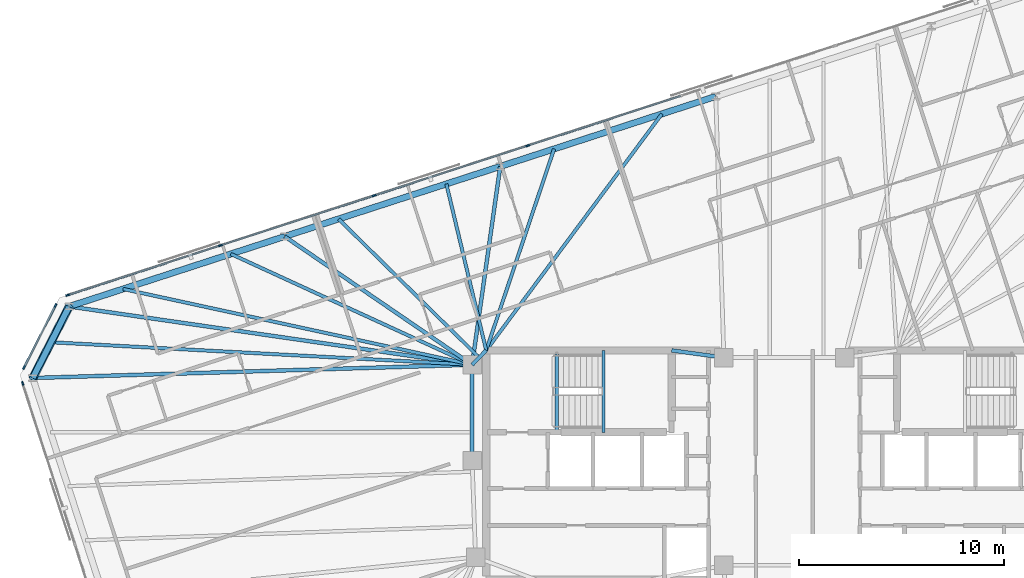
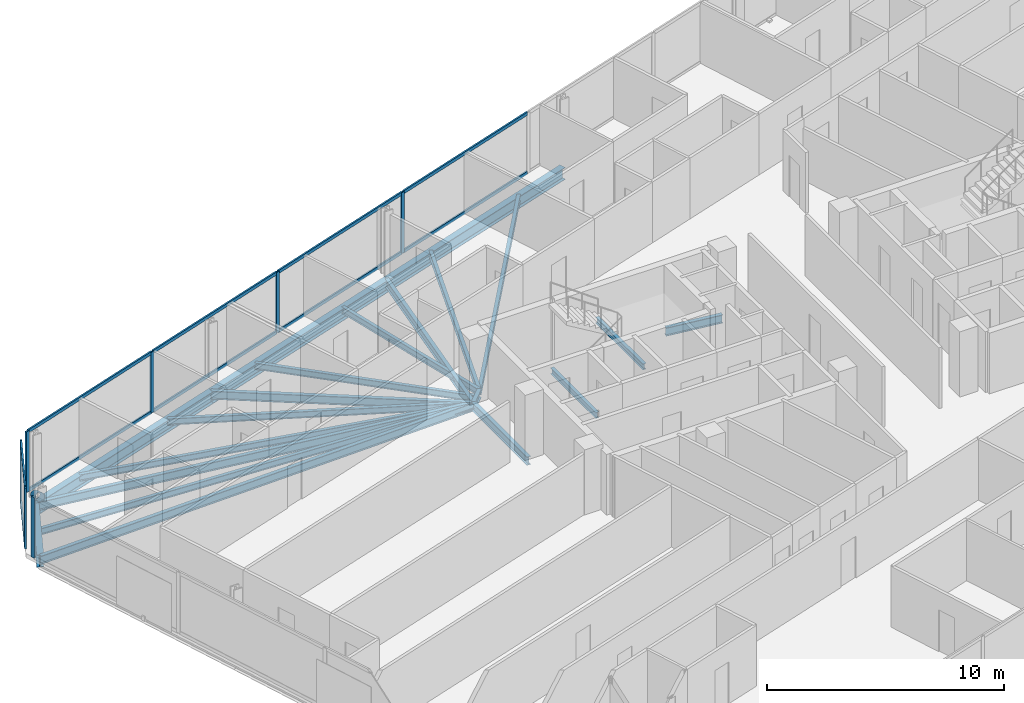
# One storey, part 9 of 20: 20 beams, 18 members, 3 elements without a shape of their own.
"""IFC4 building model written with IfcOpenShell, lengths in metres."""

import ifcopenshell
import ifcopenshell.guid

model = None  # the IFC model being written
_history = None  # IfcOwnerHistory: only IFC2X3 demands one
_inside = {}  # id of a spatial element -> (the spatial element, [elements in it])
_under = {}  # id of a project, library or spatial element -> (it, [spatial elements below it])
_declared = {}  # id of a project -> (the project, [libraries it declares])
_typed = {}  # id of a type object -> (the type object, [elements of that type])
_made_of = {}  # id of a material, layer set ... -> (it, [elements and type objects made of it])


def new_model(schema):
    """Start an empty IFC model of exactly this schema.

    Asked for "IFC4X3", IfcOpenShell would pick the latest addendum, in which some entities
    have other attributes; the version numbers below select the first issue.
    IFC2X3 requires an IfcOwnerHistory on every rooted entity: one is made here for all.
    """
    global model, _history
    if schema == "IFC4X3":
        model = ifcopenshell.file(schema_version=(4, 3, 0, 0))
    else:
        model = ifcopenshell.file(schema=schema)
    _inside.clear()
    _under.clear()
    _declared.clear()
    _typed.clear()
    _made_of.clear()
    _history = None
    if model.schema == "IFC2X3":
        org = make("IfcOrganization", Name="unknown")
        user = make(
            "IfcPersonAndOrganization",
            ThePerson=make("IfcPerson", FamilyName="unknown"),
            TheOrganization=org,
        )
        app = make(
            "IfcApplication",
            ApplicationDeveloper=org,
            Version="unknown",
            ApplicationFullName="unknown",
            ApplicationIdentifier="unknown",
        )
        _history = make(
            "IfcOwnerHistory",
            OwningUser=user,
            OwningApplication=app,
            ChangeAction="ADDED",
            CreationDate=0,
        )
    return model


def make(cls, **values):
    """One entity of the class cls with the attributes given. An attribute that is None is left unset."""
    return model.create_entity(
        cls, **{name: value for name, value in values.items() if value is not None}
    )


def rooted(cls, **values):
    """An entity with a GlobalId (a new one), such as an element, a storey or a relation."""
    return make(cls, GlobalId=ifcopenshell.guid.new(), OwnerHistory=_history, **values)


def si_unit(unit_type, name, prefix=None):
    """IfcSIUnit, for example si_unit("LENGTHUNIT", "METRE", prefix="MILLI")."""
    return make("IfcSIUnit", UnitType=unit_type, Prefix=prefix, Name=name)


def assignment(units):
    """IfcUnitAssignment: the units of a project."""
    return None if units is None else make("IfcUnitAssignment", Units=units)


def point(xyz):
    """IfcCartesianPoint."""
    return None if xyz is None else make("IfcCartesianPoint", Coordinates=xyz)


def direction(xyz):
    """IfcDirection."""
    return None if xyz is None else make("IfcDirection", DirectionRatios=xyz)


def frame(location, z_axis=None, x_axis=None):
    """IfcAxis2Placement3D, a coordinate frame: its origin and axes. An axis left out is left unset."""
    return make(
        "IfcAxis2Placement3D",
        Location=point(location),
        Axis=direction(z_axis),
        RefDirection=direction(x_axis),
    )


def frame_2d(location, x_axis=None):
    """IfcAxis2Placement2D, a coordinate frame in the plane: its origin and x axis."""
    return make(
        "IfcAxis2Placement2D", Location=point(location), RefDirection=direction(x_axis)
    )


def origin():
    """The frame at (0, 0, 0) with its axes left unset."""
    return frame((0.0, 0.0, 0.0))


def origin_2d():
    """The frame at (0, 0) in the plane with its x axis left unset."""
    return frame_2d((0.0, 0.0))


def place(relative_to, where):
    """IfcLocalPlacement: puts the frame where relative to a parent placement (None: the world)."""
    return make(
        "IfcLocalPlacement", PlacementRelTo=relative_to, RelativePlacement=where
    )


def context(
    kind, dimensions, precision=None, world=None, true_north=None, identifier=None
):
    """IfcGeometricRepresentationContext, for example the 3D "Model" context."""
    return make(
        "IfcGeometricRepresentationContext",
        ContextIdentifier=identifier,
        ContextType=kind,
        CoordinateSpaceDimension=dimensions,
        Precision=precision,
        WorldCoordinateSystem=world,
        TrueNorth=true_north,
    )


def subcontext(parent, identifier, kind, view, scale=None):
    """IfcGeometricRepresentationSubContext, for example "Body" below "Model"."""
    return make(
        "IfcGeometricRepresentationSubContext",
        ContextIdentifier=identifier,
        ContextType=kind,
        ParentContext=parent,
        TargetScale=scale,
        TargetView=view,
    )


def project(units=None, contexts=None):
    """IfcProject with its units and contexts."""
    return rooted(
        "IfcProject",
        Name="project",
        RepresentationContexts=contexts,
        UnitsInContext=assignment(units),
    )


def spatial(cls, under=None, at=None, **own):
    """A site, building, storey or space (cls), placed at a placement, below another one or the project."""
    s = rooted(cls, ObjectPlacement=at, **own)
    if under is not None:
        _under.setdefault(under.id(), (under, []))[1].append(s)
    return s


def profile(cls, at=None, kind="AREA", **sizes):
    """A parametric profile (cls). Its sizes go by their IFC names, for example OverallWidth=200.0."""
    return make(cls, ProfileType=kind, Position=at, **sizes)


def rectangle(**sizes):
    """IfcRectangleProfileDef."""
    return profile("IfcRectangleProfileDef", **sizes)


def hollow_circle(**sizes):
    """IfcCircleHollowProfileDef."""
    return profile("IfcCircleHollowProfileDef", **sizes)


def i_section(**sizes):
    """IfcIShapeProfileDef."""
    return profile("IfcIShapeProfileDef", **sizes)


def extrude(swept, where, along, depth):
    """IfcExtrudedAreaSolid: the profile swept, set in the frame where, extruded along a direction by depth."""
    return make(
        "IfcExtrudedAreaSolid",
        SweptArea=swept,
        Position=where,
        ExtrudedDirection=direction(along),
        Depth=depth,
    )


def shape(context_of_items, identifier, shape_type, items):
    """IfcShapeRepresentation: the items that make up one representation, for example the "Body"."""
    return make(
        "IfcShapeRepresentation",
        ContextOfItems=context_of_items,
        RepresentationIdentifier=identifier,
        RepresentationType=shape_type,
        Items=items,
    )


def material(Name=None, Category=None):
    """IfcMaterial."""
    return make("IfcMaterial", Name=Name, Category=Category)


def material_profile(
    of_material, cross_section, Name=None, Category=None, Priority=None
):
    """IfcMaterialProfile: a cross section and its material."""
    return make(
        "IfcMaterialProfile",
        Name=Name,
        Material=of_material,
        Profile=cross_section,
        Priority=Priority,
        Category=Category,
    )


def profile_set(profiles, Name=None, composite=None):
    """IfcMaterialProfileSet."""
    return make(
        "IfcMaterialProfileSet",
        Name=Name,
        MaterialProfiles=profiles,
        CompositeProfile=composite,
    )


def made_of(thing, what):
    """Note that an element or type object is made of a material, layer set ...; save() writes the relation."""
    if what is not None:
        _made_of.setdefault(what.id(), (what, []))[1].append(thing)
    return thing


def type_object(cls, material=None, **own):
    """A type object (cls), such as IfcWallType, which elements share."""
    return made_of(rooted(cls, **own), material)


def element(
    cls,
    number,
    at=None,
    inside=None,
    cuts=None,
    type_object=None,
    material=None,
    context=None,
    identifier="Body",
    shape_type=None,
    held_by="IfcProductDefinitionShape",
    body=None,
    shapes=None,
    **own,
):
    """One element of the class cls, such as IfcWall. Its Tag is "e" and its number.

    at: its placement. inside: the storey or other place that contains it. cuts: it is an
    opening in that element (IfcRelVoidsElement). A single representation is given by context,
    identifier, shape_type and body (its items); several are given by shapes. held_by: the class
    of the entity that holds the representations. save() writes the other relations.
    """
    e = rooted(cls, Tag="e%d" % number, ObjectPlacement=at, **own)
    if body is not None:
        shapes = [shape(context, identifier, shape_type, body)]
    if shapes is not None:
        e.Representation = make(held_by, Representations=shapes)
    if inside is not None:
        _inside.setdefault(inside.id(), (inside, []))[1].append(e)
    if cuts is not None:
        rooted(
            "IfcRelVoidsElement", RelatingBuildingElement=cuts, RelatedOpeningElement=e
        )
    if type_object is not None:
        _typed.setdefault(type_object.id(), (type_object, []))[1].append(e)
    return made_of(e, material)


def aggregate(whole, parts):
    """IfcRelAggregates: a whole, such as a stair, and the parts it consists of."""
    return rooted("IfcRelAggregates", RelatingObject=whole, RelatedObjects=parts)


def save(model, path):
    """Write the relations noted so far, then the file.

    IfcRelAggregates (storeys below a building ...), IfcRelContainedInSpatialStructure (elements
    in a storey), IfcRelDefinesByType, IfcRelAssociatesMaterial and IfcRelDeclares: one each for
    every whole, place, type object, material and project.
    """
    for whole, parts in _under.values():
        aggregate(whole, parts)
    for where, things in _inside.values():
        rooted(
            "IfcRelContainedInSpatialStructure",
            RelatedElements=things,
            RelatingStructure=where,
        )
    for kind, things in _typed.values():
        rooted("IfcRelDefinesByType", RelatedObjects=things, RelatingType=kind)
    for what, things in _made_of.values():
        rooted("IfcRelAssociatesMaterial", RelatedObjects=things, RelatingMaterial=what)
    for by, libraries in _declared.values():
        rooted("IfcRelDeclares", RelatingContext=by, RelatedDefinitions=libraries)
    model.write(path)


model = new_model("IFC4")

# Units and contexts
model_context = context("Model", 3, precision=1e-05, world=origin(), true_north=direction((0.0, 1.0)))
body_context = subcontext(model_context, "Body", "Model", "MODEL_VIEW")
ifc_project = project(units=[si_unit("LENGTHUNIT", "METRE"), si_unit("AREAUNIT", "SQUARE_METRE"), si_unit("VOLUMEUNIT", "CUBIC_METRE"), si_unit("PLANEANGLEUNIT", "RADIAN"), si_unit("MASSUNIT", "GRAM", prefix="KILO")], contexts=[model_context])

# Site, building, storey
site_placement = place(None, origin())
site = spatial("IfcSite", under=ifc_project, at=site_placement, CompositionType="ELEMENT")
building_placement = place(site_placement, origin())
building = spatial("IfcBuilding", under=site, at=building_placement, Name="Menara Jurai Vektor", CompositionType="ELEMENT")
storey_placement = place(building_placement, frame((0.0, 0.0, 224.300048828125)))
storey = spatial("IfcBuildingStorey", under=building, at=storey_placement, Name="L59", CompositionType="ELEMENT", Elevation=224.300048828125)

# Curtain wall, members
ifc_material_1 = material(Name="Anodised Pale Aluminium & Low-E Double Glazing", Category="aluminium")
curtain_wall_type = type_object("IfcCurtainWallType", Name="CW-BLK4", PredefinedType="NOTDEFINED", material=ifc_material_1)
curtain_wall_1_placement = place(storey_placement, origin())
curtain_wall_1 = element("IfcCurtainWall", 1, at=curtain_wall_1_placement, inside=storey, type_object=curtain_wall_type, Name="Unitised Curtain Wall L59 F05", PredefinedType="NOTDEFINED")
ifc_material_2 = material(Name="Anodised Pale Aluminium Mullion", Category="aluminium")
ifc_material_profile_1 = material_profile(ifc_material_2, rectangle(XDim=0.080078125, YDim=0.18994140625, at=origin_2d()), Name="ALU MUL 80x190")
ifc_profile_set_1 = profile_set([ifc_material_profile_1], Name="Anodised Pale Aluminium Mullion")
member_type_1 = type_object("IfcMemberType", Name="CW-BLK4-MUL", PredefinedType="MULLION", material=ifc_profile_set_1)
member_1_placement = place(storey_placement, frame((-12.532958984375, 15.601806640625, 0.0), z_axis=(0.0, 0.0, 1.0), x_axis=(0.309017344167, -0.951056402641, 0.0)))
member_1 = element("IfcMember", 2, at=member_1_placement, type_object=member_type_1, Name="CW-04 mullion 5", PredefinedType="MULLION", context=body_context, shape_type="SweptSolid", body=[
    extrude(rectangle(XDim=0.080078125, YDim=0.18994140625, at=origin_2d()), origin(), (0.0, 0.0, 1.0), 3.125),
])
member_2_placement = place(storey_placement, frame((-20.0380859375, 13.163330078125, 0.0), z_axis=(0.0, 0.0, 1.0), x_axis=(0.309017344167, -0.951056402641, 0.0)))
member_2 = element("IfcMember", 3, at=member_2_placement, type_object=member_type_1, Name="CW-04 mullion 6", PredefinedType="MULLION", context=body_context, shape_type="SweptSolid", body=[
    extrude(rectangle(XDim=0.080078125, YDim=0.18994140625, at=origin_2d()), origin(), (0.0, 0.0, 1.0), 3.125),
])
member_3_placement = place(storey_placement, frame((-27.543212890625, 10.724609375, 0.0), z_axis=(0.0, 0.0, 1.0), x_axis=(0.309017344167, -0.951056402641, 0.0)))
member_3 = element("IfcMember", 4, at=member_3_placement, type_object=member_type_1, Name="CW-04 mullion 7", PredefinedType="MULLION", context=body_context, shape_type="SweptSolid", body=[
    extrude(rectangle(XDim=0.080078125, YDim=0.18994140625, at=origin_2d()), origin(), (0.0, 0.0, 1.0), 3.125),
])
member_4_placement = place(storey_placement, frame((-35.010498046875, 8.29833984375, 0.0), z_axis=(0.0, 0.0, 1.0), x_axis=(0.309017344167, -0.951056402641, 0.0)))
member_4 = element("IfcMember", 5, at=member_4_placement, type_object=member_type_1, Name="CW-04 mullion 8", PredefinedType="MULLION", context=body_context, shape_type="SweptSolid", body=[
    extrude(rectangle(XDim=0.080078125, YDim=0.18994140625, at=origin_2d()), origin(), (0.0, 0.0, 1.0), 3.125),
])

curtain_wall_2_placement = place(storey_placement, origin())
curtain_wall_2 = element("IfcCurtainWall", 6, at=curtain_wall_2_placement, inside=storey, type_object=curtain_wall_type, Name="Unitised Curtain Wall L59 F06", PredefinedType="NOTDEFINED")
member_5_placement = place(storey_placement, frame((-35.6005859375, 7.79443359375, 0.0), z_axis=(0.0, 0.0, 1.0), x_axis=(0.89100750243, -0.453988579828, 0.0)))
member_5 = element("IfcMember", 7, at=member_5_placement, type_object=member_type_1, Name="CW-04 mullion 1", PredefinedType="MULLION", context=body_context, shape_type="SweptSolid", body=[
    extrude(rectangle(XDim=0.080078125, YDim=0.18994140625, at=origin_2d()), origin(), (0.0, 0.0, 1.0), 3.125),
])
member_6_placement = place(storey_placement, frame((-37.145263671875, 4.7626953125, 0.0), z_axis=(0.0, 0.0, 1.0), x_axis=(0.89100750243, -0.453988579828, 0.0)))
member_6 = element("IfcMember", 8, at=member_6_placement, type_object=member_type_1, Name="CW-04 mullion 2", PredefinedType="MULLION", context=body_context, shape_type="SweptSolid", body=[
    extrude(rectangle(XDim=0.080078125, YDim=0.18994140625, at=origin_2d()), origin(), (0.0, 0.0, 1.0), 3.125),
])

# Curtain wall, member
curtain_wall_3_placement = place(storey_placement, origin())
curtain_wall_3 = element("IfcCurtainWall", 9, at=curtain_wall_3_placement, inside=storey, type_object=curtain_wall_type, Name="Unitised Curtain Wall L59 F07", PredefinedType="NOTDEFINED")
member_7_placement = place(storey_placement, frame((-37.206298828125, 3.989013671875, 0.0), z_axis=(0.0, 0.0, 1.0), x_axis=(0.95105668295, 0.309016481464, 0.0)))
member_7 = element("IfcMember", 10, at=member_7_placement, type_object=member_type_1, Name="CW-04 mullion 1", PredefinedType="MULLION", context=body_context, shape_type="SweptSolid", body=[
    extrude(rectangle(XDim=0.080078125, YDim=0.18994140625, at=origin_2d()), origin(), (0.0, 0.0, 1.0), 3.125),
])
aggregate(curtain_wall_3, [member_7])

# Member
ifc_material_3 = material(Name="Anodised Pale Aluminium Transom", Category="aluminium")
ifc_material_profile_2 = material_profile(ifc_material_3, rectangle(XDim=0.080078125, YDim=0.1650390625, at=origin_2d()), Name="ALU TRN 80x165")
ifc_profile_set_2 = profile_set([ifc_material_profile_2], Name="Anodised Pale Aluminium Transom")
member_type_2 = type_object("IfcMemberType", Name="CW-BLK4-TRN", PredefinedType="USERDEFINED", material=ifc_profile_set_2)
member_8_placement = place(storey_placement, frame((-5.06591796875, 18.028076171875, 0.0400390625), z_axis=(-0.95105634578, -0.309017519167, 0.0), x_axis=(0.309017519167, -0.95105634578, 0.0)))
member_8 = element("IfcMember", 11, at=member_8_placement, type_object=member_type_2, Name="CW-04 transom 4.1", ObjectType="TRANSOM", PredefinedType="USERDEFINED", context=body_context, shape_type="SweptSolid", body=[
    extrude(rectangle(XDim=0.080078125, YDim=0.1650390625, at=origin_2d()), origin(), (0.0, 0.0, 1.0), 7.811279296875),
])

member_9_placement = place(storey_placement, frame((-5.06591796875, 18.028076171875, 3.0849609375), z_axis=(-0.95105634578, -0.309017519167, 0.0), x_axis=(0.309017519167, -0.95105634578, 0.0)))
member_9 = element("IfcMember", 12, at=member_9_placement, type_object=member_type_2, Name="CW-04 transom 4.2", ObjectType="TRANSOM", PredefinedType="USERDEFINED", context=body_context, shape_type="SweptSolid", body=[
    extrude(rectangle(XDim=0.080078125, YDim=0.1650390625, at=origin_2d()), origin(), (0.0, 0.0, 1.0), 7.811279296875),
])

member_10_placement = place(storey_placement, frame((-12.571044921875, 15.589599609375, 0.0400390625), z_axis=(-0.95104715984, -0.309045789099, 0.0), x_axis=(0.309045789099, -0.95104715984, 0.0)))
member_10 = element("IfcMember", 13, at=member_10_placement, type_object=member_type_2, Name="CW-04 transom 5.1", ObjectType="TRANSOM", PredefinedType="USERDEFINED", context=body_context, shape_type="SweptSolid", body=[
    extrude(rectangle(XDim=0.080078125, YDim=0.1650390625, at=origin_2d()), origin(), (0.0, 0.0, 1.0), 7.811279296875),
])

member_11_placement = place(storey_placement, frame((-12.571044921875, 15.589599609375, 3.0849609375), z_axis=(-0.95104715984, -0.309045789099, 0.0), x_axis=(0.309045789099, -0.95104715984, 0.0)))
member_11 = element("IfcMember", 14, at=member_11_placement, type_object=member_type_2, Name="CW-04 transom 5.2", ObjectType="TRANSOM", PredefinedType="USERDEFINED", context=body_context, shape_type="SweptSolid", body=[
    extrude(rectangle(XDim=0.080078125, YDim=0.1650390625, at=origin_2d()), origin(), (0.0, 0.0, 1.0), 7.811279296875),
])

member_12_placement = place(storey_placement, frame((-20.076171875, 13.15087890625, 0.0400390625), z_axis=(-0.951059330237, -0.309008333817, 0.0), x_axis=(0.309008333817, -0.951059330237, 0.0)))
member_12 = element("IfcMember", 15, at=member_12_placement, type_object=member_type_2, Name="CW-04 transom 6.1", ObjectType="TRANSOM", PredefinedType="USERDEFINED", context=body_context, shape_type="SweptSolid", body=[
    extrude(rectangle(XDim=0.080078125, YDim=0.1650390625, at=origin_2d()), origin(), (0.0, 0.0, 1.0), 7.8115234375),
])

member_13_placement = place(storey_placement, frame((-20.076171875, 13.15087890625, 3.0849609375), z_axis=(-0.951059330237, -0.309008333817, 0.0), x_axis=(0.309008333817, -0.951059330237, 0.0)))
member_13 = element("IfcMember", 16, at=member_13_placement, type_object=member_type_2, Name="CW-04 transom 6.2", ObjectType="TRANSOM", PredefinedType="USERDEFINED", context=body_context, shape_type="SweptSolid", body=[
    extrude(rectangle(XDim=0.080078125, YDim=0.1650390625, at=origin_2d()), origin(), (0.0, 0.0, 1.0), 7.8115234375),
])

member_14_placement = place(storey_placement, frame((-27.581298828125, 10.71240234375, 0.0400390625), z_axis=(-0.951052997543, -0.309027823771, 0.0), x_axis=(0.309027823771, -0.951052997543, 0.0)))
member_14 = element("IfcMember", 17, at=member_14_placement, type_object=member_type_2, Name="CW-04 transom 7.1", ObjectType="TRANSOM", PredefinedType="USERDEFINED", context=body_context, shape_type="SweptSolid", body=[
    extrude(rectangle(XDim=0.080078125, YDim=0.1650390625, at=origin_2d()), origin(), (0.0, 0.0, 1.0), 7.771484375),
])

member_15_placement = place(storey_placement, frame((-27.581298828125, 10.71240234375, 3.0849609375), z_axis=(-0.951052997543, -0.309027823771, 0.0), x_axis=(0.309027823771, -0.951052997543, 0.0)))
member_15 = element("IfcMember", 18, at=member_15_placement, type_object=member_type_2, Name="CW-04 transom 7.2", ObjectType="TRANSOM", PredefinedType="USERDEFINED", context=body_context, shape_type="SweptSolid", body=[
    extrude(rectangle(XDim=0.080078125, YDim=0.1650390625, at=origin_2d()), origin(), (0.0, 0.0, 1.0), 7.771484375),
])

aggregate(curtain_wall_1, [member_1, member_2, member_3, member_4, member_8, member_9, member_10, member_11, member_12, member_13, member_14, member_15])

member_16_placement = place(storey_placement, frame((-35.61865234375, 7.7587890625, 0.0400390625), z_axis=(-0.454019339544, -0.890991828986, 0.0), x_axis=(0.890991828986, -0.454019339544, 0.0)))
member_16 = element("IfcMember", 19, at=member_16_placement, type_object=member_type_2, Name="CW-04 transom 1.1", ObjectType="TRANSOM", PredefinedType="USERDEFINED", context=body_context, shape_type="SweptSolid", body=[
    extrude(rectangle(XDim=0.080078125, YDim=0.1650390625, at=origin_2d()), origin(), (0.0, 0.0, 1.0), 3.32275390625),
])

member_17_placement = place(storey_placement, frame((-35.61865234375, 7.7587890625, 3.0849609375), z_axis=(-0.454019339544, -0.890991828986, 0.0), x_axis=(0.890991828986, -0.454019339544, 0.0)))
member_17 = element("IfcMember", 20, at=member_17_placement, type_object=member_type_2, Name="CW-04 transom 1.2", ObjectType="TRANSOM", PredefinedType="USERDEFINED", context=body_context, shape_type="SweptSolid", body=[
    extrude(rectangle(XDim=0.080078125, YDim=0.1650390625, at=origin_2d()), origin(), (0.0, 0.0, 1.0), 3.32275390625),
])

aggregate(curtain_wall_2, [member_5, member_6, member_16, member_17])

# Beams
ifc_material_4 = material(Name="Steel S355", Category="steel")
ifc_material_profile_3 = material_profile(ifc_material_4, i_section(OverallWidth=0.18505859375, OverallDepth=0.429931640625, WebThickness=0.010986328125, FlangeThickness=0.01806640625, at=origin_2d()), Name="PG 430x185x76")
ifc_profile_set_3 = profile_set([ifc_material_profile_3], Name="Steel S355")
beam_type_1 = type_object("IfcBeamType", Name="STR-BM-430", PredefinedType="BEAM", material=ifc_profile_set_3)
beam_1_placement = place(storey_placement, frame((-15.25, 4.89990234375, -0.43994140625), z_axis=(0.701871936926, 0.712303154672, 0.0), x_axis=(-0.712303154672, 0.701871936926, 0.0)))
element("IfcBeam", 21, at=beam_1_placement, inside=storey, type_object=beam_type_1, Name="Core Ring Header Girder L59-CHW-N1", PredefinedType="BEAM", context=body_context, shape_type="SweptSolid", body=[
    extrude(i_section(OverallWidth=0.18505859375, OverallDepth=0.429931640625, WebThickness=0.010986328125, FlangeThickness=0.01806640625, at=origin_2d()), origin(), (0.0, 0.0, 1.0), 0.98291015625),
])
beam_2_placement = place(storey_placement, frame((-5.5, 5.60009765625, -0.43994140625), z_axis=(0.990706818608, -0.136014703483, 0.0), x_axis=(0.136014703483, 0.990706818608, 0.0)))
element("IfcBeam", 22, at=beam_2_placement, inside=storey, type_object=beam_type_1, Name="Core Ring Header Girder L59-CHW-N2", PredefinedType="BEAM", context=body_context, shape_type="SweptSolid", body=[
    extrude(i_section(OverallWidth=0.18505859375, OverallDepth=0.429931640625, WebThickness=0.010986328125, FlangeThickness=0.01806640625, at=origin_2d()), origin(), (0.0, 0.0, 1.0), 2.573974609375),
])
beam_3_placement = place(storey_placement, frame((-15.25, 0.219970703125, -0.43994140625), z_axis=(0.0, 1.0, 0.0), x_axis=(-1.0, 0.0, 0.0)))
element("IfcBeam", 23, at=beam_3_placement, inside=storey, type_object=beam_type_1, Name="Core Ring Header Girder L59-CHW-W1", PredefinedType="BEAM", context=body_context, shape_type="SweptSolid", body=[
    extrude(i_section(OverallWidth=0.18505859375, OverallDepth=0.429931640625, WebThickness=0.010986328125, FlangeThickness=0.01806640625, at=origin_2d()), origin(), (0.0, 0.0, 1.0), 4.679931640625),
])
beam_4_placement = place(storey_placement, frame((-13.875, 14.58740234375, -0.43994140625), z_axis=(-0.140527035582, -0.990076841599, 0.0), x_axis=(0.990076841599, -0.140527035582, 0.0)))
element("IfcBeam", 24, at=beam_4_placement, inside=storey, type_object=beam_type_1, Name="Radial Floor Girder L59-N4", PredefinedType="BEAM", context=body_context, shape_type="SweptSolid", body=[
    extrude(i_section(OverallWidth=0.18505859375, OverallDepth=0.429931640625, WebThickness=0.010986328125, FlangeThickness=0.01806640625, at=origin_2d()), origin(), (0.0, 0.0, 1.0), 9.78466796875),
])
beam_5_placement = place(storey_placement, frame((-24.404296875, 11.166259765625, -0.43994140625), z_axis=(0.825185786768, -0.564861414257, 0.0), x_axis=(0.564861414257, 0.825185786768, 0.0)))
element("IfcBeam", 25, at=beam_5_placement, inside=storey, type_object=beam_type_1, Name="Radial Floor Girder L59-N5", PredefinedType="BEAM", context=body_context, shape_type="SweptSolid", body=[
    extrude(i_section(OverallWidth=0.18505859375, OverallDepth=0.429931640625, WebThickness=0.010986328125, FlangeThickness=0.01806640625, at=origin_2d()), origin(), (0.0, 0.0, 1.0), 11.093505859375),
])
beam_6_placement = place(storey_placement, frame((-34.93359375, 7.7451171875, -0.43994140625), z_axis=(0.989713916117, -0.14306070126, 0.0), x_axis=(0.14306070126, 0.989713916117, 0.0)))
element("IfcBeam", 26, at=beam_6_placement, inside=storey, type_object=beam_type_1, Name="Radial Floor Girder L59-N6", PredefinedType="BEAM", context=body_context, shape_type="SweptSolid", body=[
    extrude(i_section(OverallWidth=0.18505859375, OverallDepth=0.429931640625, WebThickness=0.010986328125, FlangeThickness=0.01806640625, at=origin_2d()), origin(), (0.0, 0.0, 1.0), 19.88818359375),
])
beam_7_placement = place(storey_placement, frame((-36.71337890625, 4.251953125, -0.43994140625), z_axis=(0.999544635638, 0.030174846589, 0.0), x_axis=(-0.030174846589, 0.999544635638, 0.0)))
element("IfcBeam", 27, at=beam_7_placement, inside=storey, type_object=beam_type_1, Name="Radial Floor Girder L59-W1", PredefinedType="BEAM", context=body_context, shape_type="SweptSolid", body=[
    extrude(i_section(OverallWidth=0.18505859375, OverallDepth=0.429931640625, WebThickness=0.010986328125, FlangeThickness=0.01806640625, at=origin_2d()), origin(), (0.0, 0.0, 1.0), 21.47314453125),
])

# Member
ifc_material_5 = material(Name="Steel S460", Category="steel")
ifc_material_profile_4 = material_profile(ifc_material_5, hollow_circle(Radius=0.203125, WallThickness=0.01611328125, at=origin_2d()), Name="CHS 406.4x16")
ifc_profile_set_4 = profile_set([ifc_material_profile_4], Name="Steel S460")
member_type_3 = type_object("IfcMemberType", Name="STR-BR-406", PredefinedType="BRACE", material=ifc_profile_set_4)
member_18_placement = place(storey_placement, frame((-34.93359375, 7.7451171875, 0.14990234375), z_axis=(-0.377225079071, -0.740375367811, 0.556368182465), x_axis=(0.891013832566, -0.453976155955, 0.0)))
element("IfcMember", 28, at=member_18_placement, inside=storey, type_object=member_type_3, Name="Exoskeleton Corner Brace L59-3", PredefinedType="BRACE", context=body_context, shape_type="SweptSolid", body=[
    extrude(hollow_circle(Radius=0.203125, WallThickness=0.01611328125, at=origin_2d()), origin(), (0.0, 0.0, 1.0), 4.718017578125),
])

# Beams
ifc_material_profile_5 = material_profile(ifc_material_4, i_section(OverallWidth=0.1650390625, OverallDepth=0.330078125, WebThickness=0.009033203125, FlangeThickness=0.013916015625, at=origin_2d()), Name="PG 330x165x46")
ifc_profile_set_5 = profile_set([ifc_material_profile_5], Name="Steel S355")
beam_type_2 = type_object("IfcBeamType", Name="STR-JS-330", PredefinedType="JOIST", material=ifc_profile_set_5)
beam_8_placement = place(storey_placement, frame((-5.97802734375, 17.1533203125, -0.39013671875), z_axis=(-0.59630776033, -0.802755912448, 0.0), x_axis=(0.802755912448, -0.59630776033, 0.0)))
element("IfcBeam", 29, at=beam_8_placement, inside=storey, type_object=beam_type_2, Name="Radial Secondary Floor Joist L59-JS21", PredefinedType="JOIST", context=body_context, shape_type="SweptSolid", body=[
    extrude(i_section(OverallWidth=0.1650390625, OverallDepth=0.330078125, WebThickness=0.009033203125, FlangeThickness=0.013916015625, at=origin_2d()), origin(), (0.0, 0.0, 1.0), 14.391845703125),
])
beam_9_placement = place(storey_placement, frame((-11.24267578125, 15.44287109375, -0.39013671875), z_axis=(-0.319385076217, -0.94762501713, 0.0), x_axis=(0.94762501713, -0.319385076217, 0.0)))
element("IfcBeam", 30, at=beam_9_placement, inside=storey, type_object=beam_type_2, Name="Radial Secondary Floor Joist L59-JS22", PredefinedType="JOIST", context=body_context, shape_type="SweptSolid", body=[
    extrude(i_section(OverallWidth=0.1650390625, OverallDepth=0.330078125, WebThickness=0.009033203125, FlangeThickness=0.013916015625, at=origin_2d()), origin(), (0.0, 0.0, 1.0), 10.38671875),
])
beam_10_placement = place(storey_placement, frame((-16.50732421875, 13.732177734375, -0.39013671875), z_axis=(0.23287158907, -0.972507492518, 0.0), x_axis=(0.972507492518, 0.23287158907, 0.0)))
element("IfcBeam", 31, at=beam_10_placement, inside=storey, type_object=beam_type_2, Name="Radial Secondary Floor Joist L59-JS23", PredefinedType="JOIST", context=body_context, shape_type="SweptSolid", body=[
    extrude(i_section(OverallWidth=0.1650390625, OverallDepth=0.330078125, WebThickness=0.009033203125, FlangeThickness=0.013916015625, at=origin_2d()), origin(), (0.0, 0.0, 1.0), 8.362060546875),
])
beam_11_placement = place(storey_placement, frame((-21.77197265625, 12.021484375, -0.39013671875), z_axis=(0.7121893722, -0.701987391714, 0.0), x_axis=(0.701987391714, 0.7121893722, 0.0)))
element("IfcBeam", 32, at=beam_11_placement, inside=storey, type_object=beam_type_2, Name="Radial Secondary Floor Joist L59-JS24", PredefinedType="JOIST", context=body_context, shape_type="SweptSolid", body=[
    extrude(i_section(OverallWidth=0.1650390625, OverallDepth=0.330078125, WebThickness=0.009033203125, FlangeThickness=0.013916015625, at=origin_2d()), origin(), (0.0, 0.0, 1.0), 9.64404296875),
])
beam_12_placement = place(storey_placement, frame((-27.03662109375, 10.31103515625, -0.39013671875), z_axis=(0.908803804095, -0.417223735738, 0.0), x_axis=(0.417223735738, 0.908803804095, 0.0)))
element("IfcBeam", 33, at=beam_12_placement, inside=storey, type_object=beam_type_2, Name="Radial Secondary Floor Joist L59-JS25", PredefinedType="JOIST", context=body_context, shape_type="SweptSolid", body=[
    extrude(i_section(OverallWidth=0.1650390625, OverallDepth=0.330078125, WebThickness=0.009033203125, FlangeThickness=0.013916015625, at=origin_2d()), origin(), (0.0, 0.0, 1.0), 12.969482421875),
])
beam_13_placement = place(storey_placement, frame((-32.30126953125, 8.600341796875, -0.39013671875), z_axis=(0.977251946396, -0.212081666498, 0.0), x_axis=(0.212081666498, 0.977251946396, 0.0)))
element("IfcBeam", 34, at=beam_13_placement, inside=storey, type_object=beam_type_2, Name="Radial Secondary Floor Joist L59-JS26", PredefinedType="JOIST", context=body_context, shape_type="SweptSolid", body=[
    extrude(i_section(OverallWidth=0.1650390625, OverallDepth=0.330078125, WebThickness=0.009033203125, FlangeThickness=0.013916015625, at=origin_2d()), origin(), (0.0, 0.0, 1.0), 17.4482421875),
])
beam_14_placement = place(storey_placement, frame((-35.823486328125, 5.99853515625, -0.39013671875), z_axis=(0.998577239708, -0.053324444086, 0.0), x_axis=(0.053324444086, 0.998577239708, 0.0)))
element("IfcBeam", 35, at=beam_14_placement, inside=storey, type_object=beam_type_2, Name="Radial Secondary Floor Joist L59-JS27", PredefinedType="JOIST", context=body_context, shape_type="SweptSolid", body=[
    extrude(i_section(OverallWidth=0.1650390625, OverallDepth=0.330078125, WebThickness=0.009033203125, FlangeThickness=0.013916015625, at=origin_2d()), origin(), (0.0, 0.0, 1.0), 20.602783203125),
])
ifc_material_profile_6 = material_profile(ifc_material_4, i_section(OverallWidth=0.1650390625, OverallDepth=0.302978515625, WebThickness=0.006103515625, FlangeThickness=0.010009765625, FilletRadius=0.009033203125, at=origin_2d()), Name="UKB 305x165x40")
ifc_profile_set_6 = profile_set([ifc_material_profile_6], Name="Steel S355")
beam_type_3 = type_object("IfcBeamType", Name="STR-LN-305", PredefinedType="LINTEL", material=ifc_profile_set_6)
beam_15_placement = place(storey_placement, frame((-11.1201171875, 1.60009765625, -0.37646484375), z_axis=(0.0, 1.0, 0.0), x_axis=(-1.0, 0.0, 0.0)))
element("IfcBeam", 36, at=beam_15_placement, inside=storey, type_object=beam_type_3, Name="Stair Well Floor Trimmer ST1 L59", PredefinedType="LINTEL", context=body_context, shape_type="SweptSolid", body=[
    extrude(i_section(OverallWidth=0.1650390625, OverallDepth=0.302978515625, WebThickness=0.006103515625, FlangeThickness=0.010009765625, FilletRadius=0.009033203125, at=origin_2d()), origin(), (0.0, 0.0, 1.0), 3.81982421875),
])
beam_16_placement = place(storey_placement, frame((-8.830078125, 1.60009765625, 1.323486328125), z_axis=(0.0, 1.0, 0.0), x_axis=(-1.0, 0.0, 0.0)))
element("IfcBeam", 37, at=beam_16_placement, inside=storey, type_object=beam_type_3, Name="Stair Half-Landing Nosing Trimmer ST1-1 L59", PredefinedType="LINTEL", context=body_context, shape_type="SweptSolid", body=[
    extrude(i_section(OverallWidth=0.1650390625, OverallDepth=0.302978515625, WebThickness=0.006103515625, FlangeThickness=0.010009765625, FilletRadius=0.009033203125, at=origin_2d()), origin(), (0.0, 0.0, 1.0), 4.0),
])
ifc_material_profile_7 = material_profile(ifc_material_4, i_section(OverallWidth=0.306884765625, OverallDepth=0.6201171875, WebThickness=0.013916015625, FlangeThickness=0.02392578125, FilletRadius=0.01708984375, at=origin_2d()), Name="UKB 610x305x179")
ifc_profile_set_7 = profile_set([ifc_material_profile_7], Name="Steel S355")
beam_type_4 = type_object("IfcBeamType", Name="STR-SP-610", PredefinedType="SPANDREL", material=ifc_profile_set_7)
for number, where, z_axis, x_axis, name in (
    (38, (-3.345703125, 18.008544921875, -0.53515625), (-0.951057401967, -0.309014268544, 0.0), (0.309014268544, -0.951057401967, 0.0), "Exoskeleton Spandrel Beam L59-13"),
    (39, (-13.875, 14.58740234375, -0.53515625), (-0.951057401967, -0.309014268544, 0.0), (0.309014268544, -0.951057401967, 0.0), "Exoskeleton Spandrel Beam L59-14"),
    (40, (-24.404296875, 11.166259765625, -0.53515625), (-0.951057401967, -0.309014268544, 0.0), (0.309014268544, -0.951057401967, 0.0), "Exoskeleton Spandrel Beam L59-15"),
):
    element("IfcBeam", number, at=place(storey_placement, frame(where, z_axis=z_axis, x_axis=x_axis)), inside=storey, type_object=beam_type_4, Name=name, PredefinedType="SPANDREL", context=body_context, shape_type="SweptSolid", body=[
        extrude(i_section(OverallWidth=0.306884765625, OverallDepth=0.6201171875, WebThickness=0.013916015625, FlangeThickness=0.02392578125, FilletRadius=0.01708984375, at=origin_2d()), origin(), (0.0, 0.0, 1.0), 11.071044921875),
    ])
beam_17_placement = place(storey_placement, frame((-34.93359375, 7.7451171875, -0.53515625), z_axis=(-0.453976155955, -0.891013832566, 0.0), x_axis=(0.891013832566, -0.453976155955, 0.0)))
element("IfcBeam", 41, at=beam_17_placement, inside=storey, type_object=beam_type_4, Name="Exoskeleton Spandrel Beam L59-16", PredefinedType="SPANDREL", context=body_context, shape_type="SweptSolid", body=[
    extrude(i_section(OverallWidth=0.306884765625, OverallDepth=0.6201171875, WebThickness=0.013916015625, FlangeThickness=0.02392578125, FilletRadius=0.01708984375, at=origin_2d()), origin(), (0.0, 0.0, 1.0), 3.92041015625),
])

save(model, "model.ifc")
